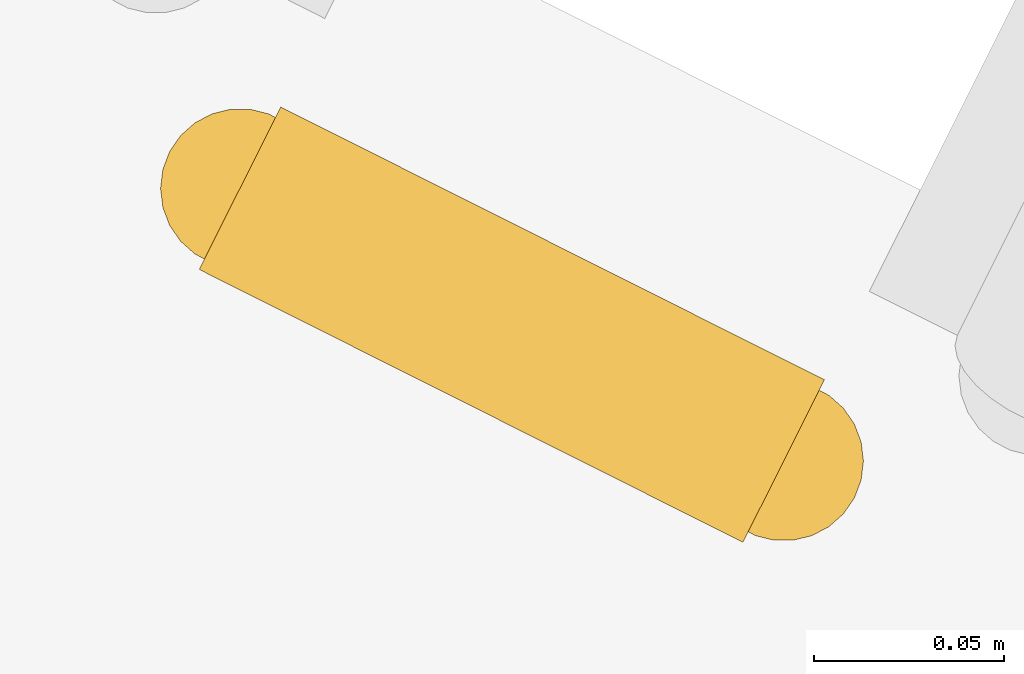
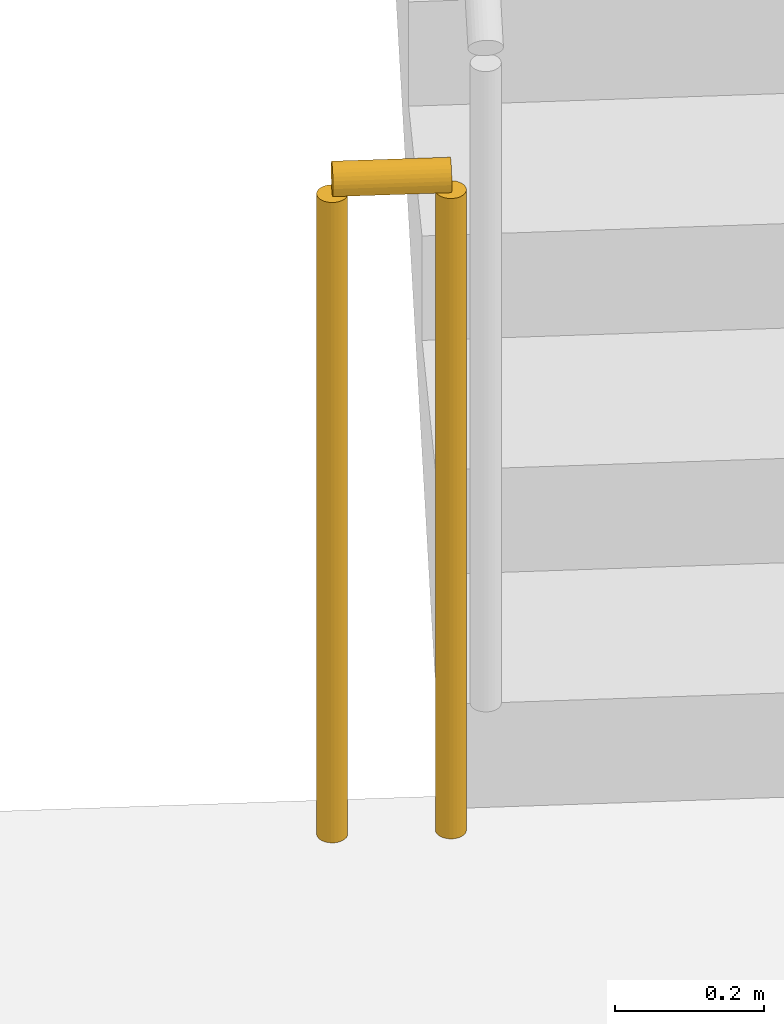
# One storey, part 131 of 152: 1 railing.
"""IFC4 building model written with IfcOpenShell, lengths in metres."""

from ifc_helpers import new_model, si_unit, direction, frame, origin, origin_2d, place, context, subcontext, project, spatial, circle, extrude, material, type_object, element, save


model = new_model("IFC4")

# Units and contexts
model_context = context("Model", 3, precision=1e-05, world=origin(), true_north=direction((0.0, 1.0)))
body_context = subcontext(model_context, "Body", "Model", "MODEL_VIEW")
ifc_project = project(units=[si_unit("LENGTHUNIT", "METRE"), si_unit("AREAUNIT", "SQUARE_METRE"), si_unit("VOLUMEUNIT", "CUBIC_METRE"), si_unit("PLANEANGLEUNIT", "RADIAN"), si_unit("MASSUNIT", "GRAM", prefix="KILO")], contexts=[model_context])

# Site, building, storey
site_placement = place(None, origin())
site = spatial("IfcSite", under=ifc_project, at=site_placement, CompositionType="ELEMENT")
building_placement = place(site_placement, origin())
building = spatial("IfcBuilding", under=site, at=building_placement, Name="Zevraka Park Crest Stadium", CompositionType="ELEMENT")
storey_placement = place(building_placement, frame((0.0, 0.0, 15.0)))
storey = spatial("IfcBuildingStorey", under=building, at=storey_placement, Name="L03", CompositionType="ELEMENT", Elevation=15.0)

# Railing
ifc_material = material(Name="Powder-coated tubular steel stairwell guard", Category="steel")
railing_type = type_object("IfcRailingType", Name="GR03", PredefinedType="GUARDRAIL", material=ifc_material)
railing_placement = place(storey_placement, frame((190.465087890625, 62.942626953125, 0.0)))
element("IfcRailing", 1, at=railing_placement, inside=storey, type_object=railing_type, Name="L03 ST23 stair guard 4", PredefinedType="GUARDRAIL", context=body_context, shape_type="SweptSolid", body=[
    extrude(circle(Radius=0.02392578125, at=origin_2d()), frame((0.0, 0.0, 1.076171875), z_axis=(-0.893816245171, 0.44843340628, 0.0), x_axis=(-0.44843340628, -0.893816245171, 0.0)), (0.0, 0.0, 1.0), 0.16015625),
    extrude(circle(Radius=0.02099609375, at=origin_2d()), origin(), (0.0, 0.0, 1.0), 1.052001953125),
    extrude(circle(Radius=0.02099609375, at=origin_2d()), frame((-0.14306640625, 0.07177734375, 0.0)), (0.0, 0.0, 1.0), 1.052001953125),
])

save(model, "model.ifc")
